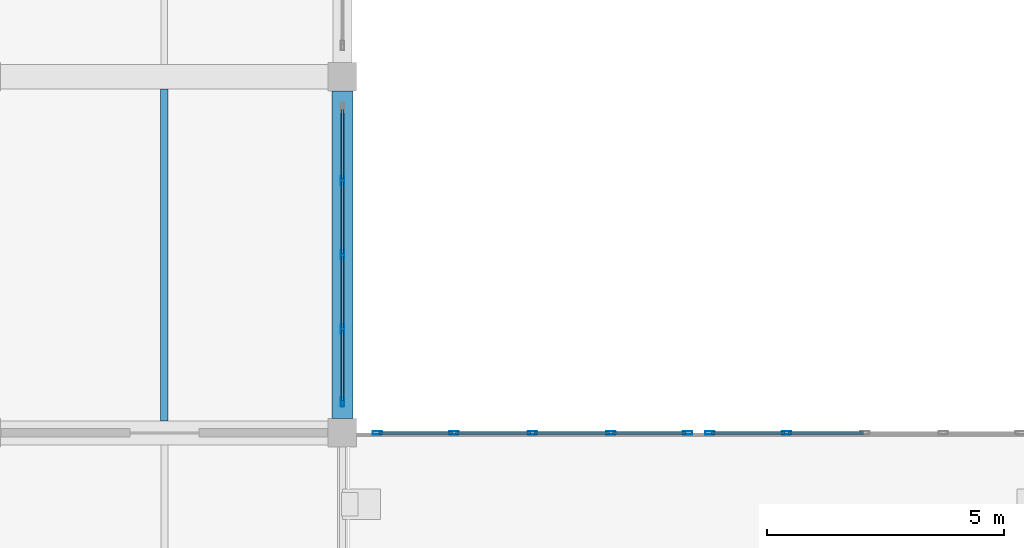
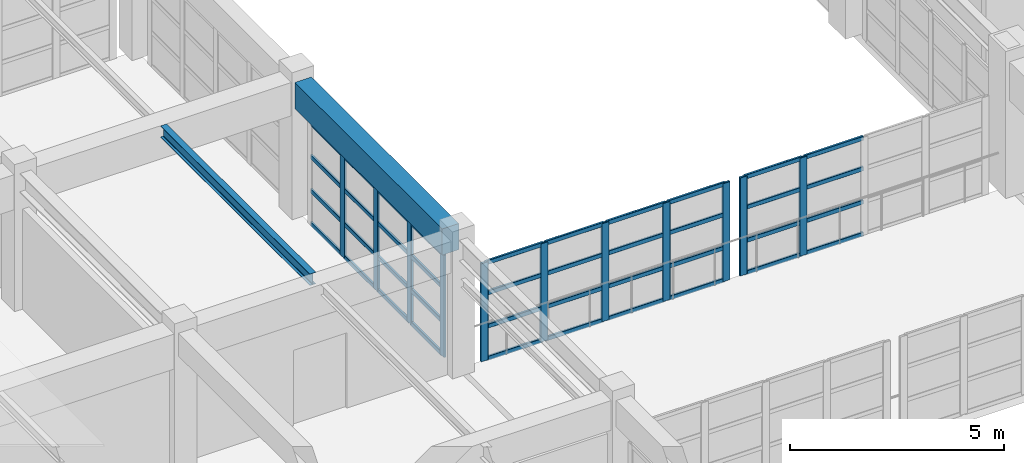
# One storey, part 22 of 124: 51 members, 2 beams, 3 elements without a shape of their own.
"""IFC4 building model written with IfcOpenShell, lengths in metres."""

from ifc_helpers import new_model, si_unit, direction, frame, origin, origin_2d, place, context, subcontext, project, spatial, rectangle, hollow_rectangle, i_section, extrude, material, material_profile, profile_set, type_object, element, aggregate, save


model = new_model("IFC4")

# Units and contexts
model_context = context("Model", 3, precision=1e-05, world=origin(), true_north=direction((0.0, 1.0)))
body_context = subcontext(model_context, "Body", "Model", "MODEL_VIEW")
ifc_project = project(units=[si_unit("LENGTHUNIT", "METRE"), si_unit("AREAUNIT", "SQUARE_METRE"), si_unit("VOLUMEUNIT", "CUBIC_METRE"), si_unit("PLANEANGLEUNIT", "RADIAN"), si_unit("MASSUNIT", "GRAM", prefix="KILO")], contexts=[model_context])

# Site, building, storey
site_placement = place(None, origin())
site = spatial("IfcSite", under=ifc_project, at=site_placement, CompositionType="ELEMENT")
building_placement = place(site_placement, origin())
building = spatial("IfcBuilding", under=site, at=building_placement, Name="Qasida Concert Hall", CompositionType="ELEMENT")
storey_placement = place(building_placement, frame((0.0, 0.0, 9.0)))
storey = spatial("IfcBuildingStorey", under=building, at=storey_placement, Name="L02", CompositionType="ELEMENT", Elevation=9.0)

# Beams
ifc_material_1 = material(Name="Steel S355J2", Category="steel")
ifc_material_profile_1 = material_profile(ifc_material_1, i_section(OverallWidth=0.159912109375, OverallDepth=0.330078125, WebThickness=0.007568359375, FlangeThickness=0.011474609375, FilletRadius=0.01806640625, at=origin_2d()), Name="IPE 330")
ifc_profile_set_1 = profile_set([ifc_material_profile_1], Name="Steel S355J2")
beam_type_1 = type_object("IfcBeamType", Name="BM-J5", PredefinedType="JOIST", material=ifc_profile_set_1)
beam_1_placement = place(storey_placement, frame((33.75, 37.75, 3.735107421875), z_axis=(0.0, 1.0, 0.0), x_axis=(-1.0, 0.0, 0.0)))
element("IfcBeam", 1, at=beam_1_placement, inside=storey, type_object=beam_type_1, Name="L02 secondary joist 1348", PredefinedType="JOIST", context=body_context, shape_type="SweptSolid", body=[
    extrude(i_section(OverallWidth=0.159912109375, OverallDepth=0.330078125, WebThickness=0.007568359375, FlangeThickness=0.011474609375, FilletRadius=0.01806640625, at=origin_2d()), origin(), (0.0, 0.0, 1.0), 6.989990234375),
])
ifc_material_2 = material(Name="Concrete C40/50", Category="concrete")
ifc_material_profile_2 = material_profile(ifc_material_2, rectangle(XDim=0.449951171875, YDim=0.75, at=origin_2d()), Name="RC 450x750")
ifc_profile_set_2 = profile_set([ifc_material_profile_2], Name="Concrete C40/50")
beam_type_2 = type_object("IfcBeamType", Name="BM-SP4", PredefinedType="SPANDREL", material=ifc_profile_set_2)
beam_2_placement = place(storey_placement, frame((37.5, 37.800048828125, 3.52490234375), z_axis=(0.0, 1.0, 0.0), x_axis=(-1.0, 0.0, 0.0)))
element("IfcBeam", 2, at=beam_2_placement, inside=storey, type_object=beam_type_2, Name="L02 girder 1319", PredefinedType="SPANDREL", context=body_context, shape_type="SweptSolid", body=[
    extrude(rectangle(XDim=0.449951171875, YDim=0.75, at=origin_2d()), origin(), (0.0, 0.0, 1.0), 6.89990234375),
])

# Curtain wall, members
ifc_material_3 = material(Name="Architectural bronze-anodized aluminium and low-E glass", Category="aluminium")
curtain_wall_type = type_object("IfcCurtainWallType", Name="CW-08", PredefinedType="NOTDEFINED", material=ifc_material_3)
curtain_wall_1_placement = place(storey_placement, origin())
curtain_wall_1 = element("IfcCurtainWall", 3, at=curtain_wall_1_placement, inside=storey, type_object=curtain_wall_type, Name="L02 curtain wall CW-08 0115", PredefinedType="NOTDEFINED")
ifc_material_4 = material(Name="Architectural bronze-anodized aluminium EN AW-6063", Category="aluminium")
ifc_material_profile_3 = material_profile(ifc_material_4, hollow_rectangle(XDim=0.06494140625, YDim=0.199951171875, WallThickness=0.0048828125, InnerFilletRadius=0.0048828125, OuterFilletRadius=0.010009765625, at=origin_2d()), Name="CWM 200x65x5")
ifc_profile_set_3 = profile_set([ifc_material_profile_3], Name="Architectural bronze-anodized aluminium EN AW-6063")
member_type_1 = type_object("IfcMemberType", Name="MB-CWM-2", PredefinedType="MULLION", material=ifc_profile_set_3)
member_1_placement = place(storey_placement, frame((37.5, 38.152587890625, 0.0), z_axis=(0.0, 0.0, 1.0), x_axis=(-1.0, 0.0, 0.0)))
member_1 = element("IfcMember", 4, at=member_1_placement, type_object=member_type_1, Name="CW-08 mullion 1", PredefinedType="MULLION", context=body_context, shape_type="SweptSolid", body=[
    extrude(hollow_rectangle(XDim=0.06494140625, YDim=0.199951171875, WallThickness=0.0048828125, InnerFilletRadius=0.0048828125, OuterFilletRadius=0.010009765625, at=origin_2d()), origin(), (0.0, 0.0, 1.0), 2.919921875),
])
member_2_placement = place(storey_placement, frame((37.5, 39.68505859375, 0.0), z_axis=(0.0, 0.0, 1.0), x_axis=(-1.0, 0.0, 0.0)))
member_2 = element("IfcMember", 5, at=member_2_placement, type_object=member_type_1, Name="CW-08 mullion 2", PredefinedType="MULLION", context=body_context, shape_type="SweptSolid", body=[
    extrude(hollow_rectangle(XDim=0.06494140625, YDim=0.199951171875, WallThickness=0.0048828125, InnerFilletRadius=0.0048828125, OuterFilletRadius=0.010009765625, at=origin_2d()), origin(), (0.0, 0.0, 1.0), 2.919921875),
])
member_3_placement = place(storey_placement, frame((37.5, 41.25, 0.0), z_axis=(0.0, 0.0, 1.0), x_axis=(-1.0, 0.0, 0.0)))
member_3 = element("IfcMember", 6, at=member_3_placement, type_object=member_type_1, Name="CW-08 mullion 3", PredefinedType="MULLION", context=body_context, shape_type="SweptSolid", body=[
    extrude(hollow_rectangle(XDim=0.06494140625, YDim=0.199951171875, WallThickness=0.0048828125, InnerFilletRadius=0.0048828125, OuterFilletRadius=0.010009765625, at=origin_2d()), origin(), (0.0, 0.0, 1.0), 2.919921875),
])
member_4_placement = place(storey_placement, frame((37.5, 42.81494140625, 0.0), z_axis=(0.0, 0.0, 1.0), x_axis=(-1.0, 0.0, 0.0)))
member_4 = element("IfcMember", 7, at=member_4_placement, type_object=member_type_1, Name="CW-08 mullion 4", PredefinedType="MULLION", context=body_context, shape_type="SweptSolid", body=[
    extrude(hollow_rectangle(XDim=0.06494140625, YDim=0.199951171875, WallThickness=0.0048828125, InnerFilletRadius=0.0048828125, OuterFilletRadius=0.010009765625, at=origin_2d()), origin(), (0.0, 0.0, 1.0), 2.919921875),
])

curtain_wall_2_placement = place(storey_placement, origin())
curtain_wall_2 = element("IfcCurtainWall", 8, at=curtain_wall_2_placement, inside=storey, type_object=curtain_wall_type, Name="L02 link bridge glazing 0203", PredefinedType="NOTDEFINED")
member_5_placement = place(storey_placement, frame((38.232421875, 37.5, 0.0), z_axis=(0.0, 0.0, 1.0), x_axis=(0.0, 1.0, 0.0)))
member_5 = element("IfcMember", 9, at=member_5_placement, type_object=member_type_1, Name="CW-08 mullion 1", PredefinedType="MULLION", context=body_context, shape_type="SweptSolid", body=[
    extrude(hollow_rectangle(XDim=0.06494140625, YDim=0.199951171875, WallThickness=0.0048828125, InnerFilletRadius=0.0048828125, OuterFilletRadius=0.010009765625, at=origin_2d()), origin(), (0.0, 0.0, 1.0), 2.800048828125),
])
member_6_placement = place(storey_placement, frame((39.85009765625, 37.5, 0.0), z_axis=(0.0, 0.0, 1.0), x_axis=(0.0, 1.0, 0.0)))
member_6 = element("IfcMember", 10, at=member_6_placement, type_object=member_type_1, Name="CW-08 mullion 2", PredefinedType="MULLION", context=body_context, shape_type="SweptSolid", body=[
    extrude(hollow_rectangle(XDim=0.06494140625, YDim=0.199951171875, WallThickness=0.0048828125, InnerFilletRadius=0.0048828125, OuterFilletRadius=0.010009765625, at=origin_2d()), origin(), (0.0, 0.0, 1.0), 2.800048828125),
])
member_7_placement = place(storey_placement, frame((41.5, 37.5, 0.0), z_axis=(0.0, 0.0, 1.0), x_axis=(0.0, 1.0, 0.0)))
member_7 = element("IfcMember", 11, at=member_7_placement, type_object=member_type_1, Name="CW-08 mullion 3", PredefinedType="MULLION", context=body_context, shape_type="SweptSolid", body=[
    extrude(hollow_rectangle(XDim=0.06494140625, YDim=0.199951171875, WallThickness=0.0048828125, InnerFilletRadius=0.0048828125, OuterFilletRadius=0.010009765625, at=origin_2d()), origin(), (0.0, 0.0, 1.0), 2.800048828125),
])
member_8_placement = place(storey_placement, frame((43.14990234375, 37.5, 0.0), z_axis=(0.0, 0.0, 1.0), x_axis=(0.0, 1.0, 0.0)))
member_8 = element("IfcMember", 12, at=member_8_placement, type_object=member_type_1, Name="CW-08 mullion 4", PredefinedType="MULLION", context=body_context, shape_type="SweptSolid", body=[
    extrude(hollow_rectangle(XDim=0.06494140625, YDim=0.199951171875, WallThickness=0.0048828125, InnerFilletRadius=0.0048828125, OuterFilletRadius=0.010009765625, at=origin_2d()), origin(), (0.0, 0.0, 1.0), 2.800048828125),
])
member_9_placement = place(storey_placement, frame((44.767578125, 37.5, 0.0), z_axis=(0.0, 0.0, 1.0), x_axis=(0.0, 1.0, 0.0)))
member_9 = element("IfcMember", 13, at=member_9_placement, type_object=member_type_1, Name="CW-08 mullion 5", PredefinedType="MULLION", context=body_context, shape_type="SweptSolid", body=[
    extrude(hollow_rectangle(XDim=0.06494140625, YDim=0.199951171875, WallThickness=0.0048828125, InnerFilletRadius=0.0048828125, OuterFilletRadius=0.010009765625, at=origin_2d()), origin(), (0.0, 0.0, 1.0), 2.800048828125),
])

curtain_wall_3_placement = place(storey_placement, origin())
curtain_wall_3 = element("IfcCurtainWall", 14, at=curtain_wall_3_placement, inside=storey, type_object=curtain_wall_type, Name="L02 link bridge glazing 0205", PredefinedType="NOTDEFINED")
member_10_placement = place(storey_placement, frame((45.232421875, 37.5, 0.0), z_axis=(0.0, 0.0, 1.0), x_axis=(0.0, 1.0, 0.0)))
member_10 = element("IfcMember", 15, at=member_10_placement, type_object=member_type_1, Name="CW-08 mullion 1", PredefinedType="MULLION", context=body_context, shape_type="SweptSolid", body=[
    extrude(hollow_rectangle(XDim=0.06494140625, YDim=0.199951171875, WallThickness=0.0048828125, InnerFilletRadius=0.0048828125, OuterFilletRadius=0.010009765625, at=origin_2d()), origin(), (0.0, 0.0, 1.0), 2.800048828125),
])
member_11_placement = place(storey_placement, frame((46.85009765625, 37.5, 0.0), z_axis=(0.0, 0.0, 1.0), x_axis=(0.0, 1.0, 0.0)))
member_11 = element("IfcMember", 16, at=member_11_placement, type_object=member_type_1, Name="CW-08 mullion 2", PredefinedType="MULLION", context=body_context, shape_type="SweptSolid", body=[
    extrude(hollow_rectangle(XDim=0.06494140625, YDim=0.199951171875, WallThickness=0.0048828125, InnerFilletRadius=0.0048828125, OuterFilletRadius=0.010009765625, at=origin_2d()), origin(), (0.0, 0.0, 1.0), 2.800048828125),
])

# Member
ifc_material_profile_4 = material_profile(ifc_material_4, hollow_rectangle(XDim=0.06005859375, YDim=0.1201171875, WallThickness=0.00390625, InnerFilletRadius=0.00390625, OuterFilletRadius=0.008056640625, at=origin_2d()), Name="CWT 120x60x4")
ifc_profile_set_4 = profile_set([ifc_material_profile_4], Name="Architectural bronze-anodized aluminium EN AW-6063")
member_type_2 = type_object("IfcMemberType", Name="MB-CWT-2", PredefinedType="USERDEFINED", material=ifc_profile_set_4)
member_12_placement = place(storey_placement, frame((37.5, 38.18505859375, 0.030029296875), z_axis=(0.0, 1.0, 0.0), x_axis=(-1.0, 0.0, 0.0)))
member_12 = element("IfcMember", 17, at=member_12_placement, type_object=member_type_2, Name="CW-08 transom 1.1", ObjectType="TRANSOM", PredefinedType="USERDEFINED", context=body_context, shape_type="SweptSolid", body=[
    extrude(hollow_rectangle(XDim=0.06005859375, YDim=0.1201171875, WallThickness=0.00390625, InnerFilletRadius=0.00390625, OuterFilletRadius=0.008056640625, at=origin_2d()), origin(), (0.0, 0.0, 1.0), 1.467529296875),
])

member_13_placement = place(storey_placement, frame((37.5, 38.18505859375, 0.973388671875), z_axis=(0.0, 1.0, 0.0), x_axis=(-1.0, 0.0, 0.0)))
member_13 = element("IfcMember", 18, at=member_13_placement, type_object=member_type_2, Name="CW-08 transom 1.2", ObjectType="TRANSOM", PredefinedType="USERDEFINED", context=body_context, shape_type="SweptSolid", body=[
    extrude(hollow_rectangle(XDim=0.06005859375, YDim=0.1201171875, WallThickness=0.00390625, InnerFilletRadius=0.00390625, OuterFilletRadius=0.008056640625, at=origin_2d()), origin(), (0.0, 0.0, 1.0), 1.467529296875),
])

member_14_placement = place(storey_placement, frame((37.5, 38.18505859375, 1.94677734375), z_axis=(0.0, 1.0, 0.0), x_axis=(-1.0, 0.0, 0.0)))
member_14 = element("IfcMember", 19, at=member_14_placement, type_object=member_type_2, Name="CW-08 transom 1.3", ObjectType="TRANSOM", PredefinedType="USERDEFINED", context=body_context, shape_type="SweptSolid", body=[
    extrude(hollow_rectangle(XDim=0.06005859375, YDim=0.1201171875, WallThickness=0.00390625, InnerFilletRadius=0.00390625, OuterFilletRadius=0.008056640625, at=origin_2d()), origin(), (0.0, 0.0, 1.0), 1.467529296875),
])

member_15_placement = place(storey_placement, frame((37.5, 38.18505859375, 2.889892578125), z_axis=(0.0, 1.0, 0.0), x_axis=(-1.0, 0.0, 0.0)))
member_15 = element("IfcMember", 20, at=member_15_placement, type_object=member_type_2, Name="CW-08 transom 1.4", ObjectType="TRANSOM", PredefinedType="USERDEFINED", context=body_context, shape_type="SweptSolid", body=[
    extrude(hollow_rectangle(XDim=0.06005859375, YDim=0.1201171875, WallThickness=0.00390625, InnerFilletRadius=0.00390625, OuterFilletRadius=0.008056640625, at=origin_2d()), origin(), (0.0, 0.0, 1.0), 1.467529296875),
])

member_16_placement = place(storey_placement, frame((37.5, 39.717529296875, 0.030029296875), z_axis=(0.0, 1.0, 0.0), x_axis=(-1.0, 0.0, 0.0)))
member_16 = element("IfcMember", 21, at=member_16_placement, type_object=member_type_2, Name="CW-08 transom 2.1", ObjectType="TRANSOM", PredefinedType="USERDEFINED", context=body_context, shape_type="SweptSolid", body=[
    extrude(hollow_rectangle(XDim=0.06005859375, YDim=0.1201171875, WallThickness=0.00390625, InnerFilletRadius=0.00390625, OuterFilletRadius=0.008056640625, at=origin_2d()), origin(), (0.0, 0.0, 1.0), 1.5),
])

member_17_placement = place(storey_placement, frame((37.5, 39.717529296875, 0.973388671875), z_axis=(0.0, 1.0, 0.0), x_axis=(-1.0, 0.0, 0.0)))
member_17 = element("IfcMember", 22, at=member_17_placement, type_object=member_type_2, Name="CW-08 transom 2.2", ObjectType="TRANSOM", PredefinedType="USERDEFINED", context=body_context, shape_type="SweptSolid", body=[
    extrude(hollow_rectangle(XDim=0.06005859375, YDim=0.1201171875, WallThickness=0.00390625, InnerFilletRadius=0.00390625, OuterFilletRadius=0.008056640625, at=origin_2d()), origin(), (0.0, 0.0, 1.0), 1.5),
])

member_18_placement = place(storey_placement, frame((37.5, 39.717529296875, 1.94677734375), z_axis=(0.0, 1.0, 0.0), x_axis=(-1.0, 0.0, 0.0)))
member_18 = element("IfcMember", 23, at=member_18_placement, type_object=member_type_2, Name="CW-08 transom 2.3", ObjectType="TRANSOM", PredefinedType="USERDEFINED", context=body_context, shape_type="SweptSolid", body=[
    extrude(hollow_rectangle(XDim=0.06005859375, YDim=0.1201171875, WallThickness=0.00390625, InnerFilletRadius=0.00390625, OuterFilletRadius=0.008056640625, at=origin_2d()), origin(), (0.0, 0.0, 1.0), 1.5),
])

member_19_placement = place(storey_placement, frame((37.5, 39.717529296875, 2.889892578125), z_axis=(0.0, 1.0, 0.0), x_axis=(-1.0, 0.0, 0.0)))
member_19 = element("IfcMember", 24, at=member_19_placement, type_object=member_type_2, Name="CW-08 transom 2.4", ObjectType="TRANSOM", PredefinedType="USERDEFINED", context=body_context, shape_type="SweptSolid", body=[
    extrude(hollow_rectangle(XDim=0.06005859375, YDim=0.1201171875, WallThickness=0.00390625, InnerFilletRadius=0.00390625, OuterFilletRadius=0.008056640625, at=origin_2d()), origin(), (0.0, 0.0, 1.0), 1.5),
])

member_20_placement = place(storey_placement, frame((37.5, 41.282470703125, 0.030029296875), z_axis=(0.0, 1.0, 0.0), x_axis=(-1.0, 0.0, 0.0)))
member_20 = element("IfcMember", 25, at=member_20_placement, type_object=member_type_2, Name="CW-08 transom 3.1", ObjectType="TRANSOM", PredefinedType="USERDEFINED", context=body_context, shape_type="SweptSolid", body=[
    extrude(hollow_rectangle(XDim=0.06005859375, YDim=0.1201171875, WallThickness=0.00390625, InnerFilletRadius=0.00390625, OuterFilletRadius=0.008056640625, at=origin_2d()), origin(), (0.0, 0.0, 1.0), 1.5),
])

member_21_placement = place(storey_placement, frame((37.5, 41.282470703125, 0.973388671875), z_axis=(0.0, 1.0, 0.0), x_axis=(-1.0, 0.0, 0.0)))
member_21 = element("IfcMember", 26, at=member_21_placement, type_object=member_type_2, Name="CW-08 transom 3.2", ObjectType="TRANSOM", PredefinedType="USERDEFINED", context=body_context, shape_type="SweptSolid", body=[
    extrude(hollow_rectangle(XDim=0.06005859375, YDim=0.1201171875, WallThickness=0.00390625, InnerFilletRadius=0.00390625, OuterFilletRadius=0.008056640625, at=origin_2d()), origin(), (0.0, 0.0, 1.0), 1.5),
])

member_22_placement = place(storey_placement, frame((37.5, 41.282470703125, 1.94677734375), z_axis=(0.0, 1.0, 0.0), x_axis=(-1.0, 0.0, 0.0)))
member_22 = element("IfcMember", 27, at=member_22_placement, type_object=member_type_2, Name="CW-08 transom 3.3", ObjectType="TRANSOM", PredefinedType="USERDEFINED", context=body_context, shape_type="SweptSolid", body=[
    extrude(hollow_rectangle(XDim=0.06005859375, YDim=0.1201171875, WallThickness=0.00390625, InnerFilletRadius=0.00390625, OuterFilletRadius=0.008056640625, at=origin_2d()), origin(), (0.0, 0.0, 1.0), 1.5),
])

member_23_placement = place(storey_placement, frame((37.5, 41.282470703125, 2.889892578125), z_axis=(0.0, 1.0, 0.0), x_axis=(-1.0, 0.0, 0.0)))
member_23 = element("IfcMember", 28, at=member_23_placement, type_object=member_type_2, Name="CW-08 transom 3.4", ObjectType="TRANSOM", PredefinedType="USERDEFINED", context=body_context, shape_type="SweptSolid", body=[
    extrude(hollow_rectangle(XDim=0.06005859375, YDim=0.1201171875, WallThickness=0.00390625, InnerFilletRadius=0.00390625, OuterFilletRadius=0.008056640625, at=origin_2d()), origin(), (0.0, 0.0, 1.0), 1.5),
])

member_24_placement = place(storey_placement, frame((37.5, 42.847412109375, 0.030029296875), z_axis=(0.0, 1.0, 0.0), x_axis=(-1.0, 0.0, 0.0)))
member_24 = element("IfcMember", 29, at=member_24_placement, type_object=member_type_2, Name="CW-08 transom 4.1", ObjectType="TRANSOM", PredefinedType="USERDEFINED", context=body_context, shape_type="SweptSolid", body=[
    extrude(hollow_rectangle(XDim=0.06005859375, YDim=0.1201171875, WallThickness=0.00390625, InnerFilletRadius=0.00390625, OuterFilletRadius=0.008056640625, at=origin_2d()), origin(), (0.0, 0.0, 1.0), 1.467529296875),
])

member_25_placement = place(storey_placement, frame((37.5, 42.847412109375, 0.973388671875), z_axis=(0.0, 1.0, 0.0), x_axis=(-1.0, 0.0, 0.0)))
member_25 = element("IfcMember", 30, at=member_25_placement, type_object=member_type_2, Name="CW-08 transom 4.2", ObjectType="TRANSOM", PredefinedType="USERDEFINED", context=body_context, shape_type="SweptSolid", body=[
    extrude(hollow_rectangle(XDim=0.06005859375, YDim=0.1201171875, WallThickness=0.00390625, InnerFilletRadius=0.00390625, OuterFilletRadius=0.008056640625, at=origin_2d()), origin(), (0.0, 0.0, 1.0), 1.467529296875),
])

member_26_placement = place(storey_placement, frame((37.5, 42.847412109375, 1.94677734375), z_axis=(0.0, 1.0, 0.0), x_axis=(-1.0, 0.0, 0.0)))
member_26 = element("IfcMember", 31, at=member_26_placement, type_object=member_type_2, Name="CW-08 transom 4.3", ObjectType="TRANSOM", PredefinedType="USERDEFINED", context=body_context, shape_type="SweptSolid", body=[
    extrude(hollow_rectangle(XDim=0.06005859375, YDim=0.1201171875, WallThickness=0.00390625, InnerFilletRadius=0.00390625, OuterFilletRadius=0.008056640625, at=origin_2d()), origin(), (0.0, 0.0, 1.0), 1.467529296875),
])

member_27_placement = place(storey_placement, frame((37.5, 42.847412109375, 2.889892578125), z_axis=(0.0, 1.0, 0.0), x_axis=(-1.0, 0.0, 0.0)))
member_27 = element("IfcMember", 32, at=member_27_placement, type_object=member_type_2, Name="CW-08 transom 4.4", ObjectType="TRANSOM", PredefinedType="USERDEFINED", context=body_context, shape_type="SweptSolid", body=[
    extrude(hollow_rectangle(XDim=0.06005859375, YDim=0.1201171875, WallThickness=0.00390625, InnerFilletRadius=0.00390625, OuterFilletRadius=0.008056640625, at=origin_2d()), origin(), (0.0, 0.0, 1.0), 1.467529296875),
])

aggregate(curtain_wall_1, [member_1, member_2, member_3, member_4, member_12, member_13, member_14, member_15, member_16, member_17, member_18, member_19, member_20, member_21, member_22, member_23, member_24, member_25, member_26, member_27])

member_28_placement = place(storey_placement, frame((38.264892578125, 37.5, 0.030029296875), z_axis=(1.0, 0.0, 0.0), x_axis=(0.0, 1.0, 0.0)))
member_28 = element("IfcMember", 33, at=member_28_placement, type_object=member_type_2, Name="CW-08 transom 1.1", ObjectType="TRANSOM", PredefinedType="USERDEFINED", context=body_context, shape_type="SweptSolid", body=[
    extrude(hollow_rectangle(XDim=0.06005859375, YDim=0.1201171875, WallThickness=0.00390625, InnerFilletRadius=0.00390625, OuterFilletRadius=0.008056640625, at=origin_2d()), origin(), (0.0, 0.0, 1.0), 1.552490234375),
])

member_29_placement = place(storey_placement, frame((38.264892578125, 37.5, 0.949951171875), z_axis=(1.0, 0.0, 0.0), x_axis=(0.0, 1.0, 0.0)))
member_29 = element("IfcMember", 34, at=member_29_placement, type_object=member_type_2, Name="CW-08 transom 1.2", ObjectType="TRANSOM", PredefinedType="USERDEFINED", context=body_context, shape_type="SweptSolid", body=[
    extrude(hollow_rectangle(XDim=0.06005859375, YDim=0.1201171875, WallThickness=0.00390625, InnerFilletRadius=0.00390625, OuterFilletRadius=0.008056640625, at=origin_2d()), origin(), (0.0, 0.0, 1.0), 1.552490234375),
])

member_30_placement = place(storey_placement, frame((38.264892578125, 37.5, 1.89990234375), z_axis=(1.0, 0.0, 0.0), x_axis=(0.0, 1.0, 0.0)))
member_30 = element("IfcMember", 35, at=member_30_placement, type_object=member_type_2, Name="CW-08 transom 1.3", ObjectType="TRANSOM", PredefinedType="USERDEFINED", context=body_context, shape_type="SweptSolid", body=[
    extrude(hollow_rectangle(XDim=0.06005859375, YDim=0.1201171875, WallThickness=0.00390625, InnerFilletRadius=0.00390625, OuterFilletRadius=0.008056640625, at=origin_2d()), origin(), (0.0, 0.0, 1.0), 1.552490234375),
])

member_31_placement = place(storey_placement, frame((38.264892578125, 37.5, 2.77001953125), z_axis=(1.0, 0.0, 0.0), x_axis=(0.0, 1.0, 0.0)))
member_31 = element("IfcMember", 36, at=member_31_placement, type_object=member_type_2, Name="CW-08 transom 1.4", ObjectType="TRANSOM", PredefinedType="USERDEFINED", context=body_context, shape_type="SweptSolid", body=[
    extrude(hollow_rectangle(XDim=0.06005859375, YDim=0.1201171875, WallThickness=0.00390625, InnerFilletRadius=0.00390625, OuterFilletRadius=0.008056640625, at=origin_2d()), origin(), (0.0, 0.0, 1.0), 1.552490234375),
])

member_32_placement = place(storey_placement, frame((39.882568359375, 37.5, 0.030029296875), z_axis=(1.0, 0.0, 0.0), x_axis=(0.0, 1.0, 0.0)))
member_32 = element("IfcMember", 37, at=member_32_placement, type_object=member_type_2, Name="CW-08 transom 2.1", ObjectType="TRANSOM", PredefinedType="USERDEFINED", context=body_context, shape_type="SweptSolid", body=[
    extrude(hollow_rectangle(XDim=0.06005859375, YDim=0.1201171875, WallThickness=0.00390625, InnerFilletRadius=0.00390625, OuterFilletRadius=0.008056640625, at=origin_2d()), origin(), (0.0, 0.0, 1.0), 1.5849609375),
])

member_33_placement = place(storey_placement, frame((39.882568359375, 37.5, 0.949951171875), z_axis=(1.0, 0.0, 0.0), x_axis=(0.0, 1.0, 0.0)))
member_33 = element("IfcMember", 38, at=member_33_placement, type_object=member_type_2, Name="CW-08 transom 2.2", ObjectType="TRANSOM", PredefinedType="USERDEFINED", context=body_context, shape_type="SweptSolid", body=[
    extrude(hollow_rectangle(XDim=0.06005859375, YDim=0.1201171875, WallThickness=0.00390625, InnerFilletRadius=0.00390625, OuterFilletRadius=0.008056640625, at=origin_2d()), origin(), (0.0, 0.0, 1.0), 1.5849609375),
])

member_34_placement = place(storey_placement, frame((39.882568359375, 37.5, 1.89990234375), z_axis=(1.0, 0.0, 0.0), x_axis=(0.0, 1.0, 0.0)))
member_34 = element("IfcMember", 39, at=member_34_placement, type_object=member_type_2, Name="CW-08 transom 2.3", ObjectType="TRANSOM", PredefinedType="USERDEFINED", context=body_context, shape_type="SweptSolid", body=[
    extrude(hollow_rectangle(XDim=0.06005859375, YDim=0.1201171875, WallThickness=0.00390625, InnerFilletRadius=0.00390625, OuterFilletRadius=0.008056640625, at=origin_2d()), origin(), (0.0, 0.0, 1.0), 1.5849609375),
])

member_35_placement = place(storey_placement, frame((39.882568359375, 37.5, 2.77001953125), z_axis=(1.0, 0.0, 0.0), x_axis=(0.0, 1.0, 0.0)))
member_35 = element("IfcMember", 40, at=member_35_placement, type_object=member_type_2, Name="CW-08 transom 2.4", ObjectType="TRANSOM", PredefinedType="USERDEFINED", context=body_context, shape_type="SweptSolid", body=[
    extrude(hollow_rectangle(XDim=0.06005859375, YDim=0.1201171875, WallThickness=0.00390625, InnerFilletRadius=0.00390625, OuterFilletRadius=0.008056640625, at=origin_2d()), origin(), (0.0, 0.0, 1.0), 1.5849609375),
])

member_36_placement = place(storey_placement, frame((41.532470703125, 37.5, 0.030029296875), z_axis=(1.0, 0.0, 0.0), x_axis=(0.0, 1.0, 0.0)))
member_36 = element("IfcMember", 41, at=member_36_placement, type_object=member_type_2, Name="CW-08 transom 3.1", ObjectType="TRANSOM", PredefinedType="USERDEFINED", context=body_context, shape_type="SweptSolid", body=[
    extrude(hollow_rectangle(XDim=0.06005859375, YDim=0.1201171875, WallThickness=0.00390625, InnerFilletRadius=0.00390625, OuterFilletRadius=0.008056640625, at=origin_2d()), origin(), (0.0, 0.0, 1.0), 1.5849609375),
])

member_37_placement = place(storey_placement, frame((41.532470703125, 37.5, 0.949951171875), z_axis=(1.0, 0.0, 0.0), x_axis=(0.0, 1.0, 0.0)))
member_37 = element("IfcMember", 42, at=member_37_placement, type_object=member_type_2, Name="CW-08 transom 3.2", ObjectType="TRANSOM", PredefinedType="USERDEFINED", context=body_context, shape_type="SweptSolid", body=[
    extrude(hollow_rectangle(XDim=0.06005859375, YDim=0.1201171875, WallThickness=0.00390625, InnerFilletRadius=0.00390625, OuterFilletRadius=0.008056640625, at=origin_2d()), origin(), (0.0, 0.0, 1.0), 1.5849609375),
])

member_38_placement = place(storey_placement, frame((41.532470703125, 37.5, 1.89990234375), z_axis=(1.0, 0.0, 0.0), x_axis=(0.0, 1.0, 0.0)))
member_38 = element("IfcMember", 43, at=member_38_placement, type_object=member_type_2, Name="CW-08 transom 3.3", ObjectType="TRANSOM", PredefinedType="USERDEFINED", context=body_context, shape_type="SweptSolid", body=[
    extrude(hollow_rectangle(XDim=0.06005859375, YDim=0.1201171875, WallThickness=0.00390625, InnerFilletRadius=0.00390625, OuterFilletRadius=0.008056640625, at=origin_2d()), origin(), (0.0, 0.0, 1.0), 1.5849609375),
])

member_39_placement = place(storey_placement, frame((41.532470703125, 37.5, 2.77001953125), z_axis=(1.0, 0.0, 0.0), x_axis=(0.0, 1.0, 0.0)))
member_39 = element("IfcMember", 44, at=member_39_placement, type_object=member_type_2, Name="CW-08 transom 3.4", ObjectType="TRANSOM", PredefinedType="USERDEFINED", context=body_context, shape_type="SweptSolid", body=[
    extrude(hollow_rectangle(XDim=0.06005859375, YDim=0.1201171875, WallThickness=0.00390625, InnerFilletRadius=0.00390625, OuterFilletRadius=0.008056640625, at=origin_2d()), origin(), (0.0, 0.0, 1.0), 1.5849609375),
])

member_40_placement = place(storey_placement, frame((43.1826171875, 37.5, 0.030029296875), z_axis=(1.0, 0.0, 0.0), x_axis=(0.0, 1.0, 0.0)))
member_40 = element("IfcMember", 45, at=member_40_placement, type_object=member_type_2, Name="CW-08 transom 4.1", ObjectType="TRANSOM", PredefinedType="USERDEFINED", context=body_context, shape_type="SweptSolid", body=[
    extrude(hollow_rectangle(XDim=0.06005859375, YDim=0.1201171875, WallThickness=0.00390625, InnerFilletRadius=0.00390625, OuterFilletRadius=0.008056640625, at=origin_2d()), origin(), (0.0, 0.0, 1.0), 1.552490234375),
])

member_41_placement = place(storey_placement, frame((43.1826171875, 37.5, 0.949951171875), z_axis=(1.0, 0.0, 0.0), x_axis=(0.0, 1.0, 0.0)))
member_41 = element("IfcMember", 46, at=member_41_placement, type_object=member_type_2, Name="CW-08 transom 4.2", ObjectType="TRANSOM", PredefinedType="USERDEFINED", context=body_context, shape_type="SweptSolid", body=[
    extrude(hollow_rectangle(XDim=0.06005859375, YDim=0.1201171875, WallThickness=0.00390625, InnerFilletRadius=0.00390625, OuterFilletRadius=0.008056640625, at=origin_2d()), origin(), (0.0, 0.0, 1.0), 1.552490234375),
])

member_42_placement = place(storey_placement, frame((43.1826171875, 37.5, 1.89990234375), z_axis=(1.0, 0.0, 0.0), x_axis=(0.0, 1.0, 0.0)))
member_42 = element("IfcMember", 47, at=member_42_placement, type_object=member_type_2, Name="CW-08 transom 4.3", ObjectType="TRANSOM", PredefinedType="USERDEFINED", context=body_context, shape_type="SweptSolid", body=[
    extrude(hollow_rectangle(XDim=0.06005859375, YDim=0.1201171875, WallThickness=0.00390625, InnerFilletRadius=0.00390625, OuterFilletRadius=0.008056640625, at=origin_2d()), origin(), (0.0, 0.0, 1.0), 1.552490234375),
])

member_43_placement = place(storey_placement, frame((43.1826171875, 37.5, 2.77001953125), z_axis=(1.0, 0.0, 0.0), x_axis=(0.0, 1.0, 0.0)))
member_43 = element("IfcMember", 48, at=member_43_placement, type_object=member_type_2, Name="CW-08 transom 4.4", ObjectType="TRANSOM", PredefinedType="USERDEFINED", context=body_context, shape_type="SweptSolid", body=[
    extrude(hollow_rectangle(XDim=0.06005859375, YDim=0.1201171875, WallThickness=0.00390625, InnerFilletRadius=0.00390625, OuterFilletRadius=0.008056640625, at=origin_2d()), origin(), (0.0, 0.0, 1.0), 1.552490234375),
])

aggregate(curtain_wall_2, [member_5, member_6, member_7, member_8, member_9, member_28, member_29, member_30, member_31, member_32, member_33, member_34, member_35, member_36, member_37, member_38, member_39, member_40, member_41, member_42, member_43])

member_44_placement = place(storey_placement, frame((45.264892578125, 37.5, 0.030029296875), z_axis=(1.0, 0.0, 0.0), x_axis=(0.0, 1.0, 0.0)))
member_44 = element("IfcMember", 49, at=member_44_placement, type_object=member_type_2, Name="CW-08 transom 1.1", ObjectType="TRANSOM", PredefinedType="USERDEFINED", context=body_context, shape_type="SweptSolid", body=[
    extrude(hollow_rectangle(XDim=0.06005859375, YDim=0.1201171875, WallThickness=0.00390625, InnerFilletRadius=0.00390625, OuterFilletRadius=0.008056640625, at=origin_2d()), origin(), (0.0, 0.0, 1.0), 1.552490234375),
])

member_45_placement = place(storey_placement, frame((45.264892578125, 37.5, 0.949951171875), z_axis=(1.0, 0.0, 0.0), x_axis=(0.0, 1.0, 0.0)))
member_45 = element("IfcMember", 50, at=member_45_placement, type_object=member_type_2, Name="CW-08 transom 1.2", ObjectType="TRANSOM", PredefinedType="USERDEFINED", context=body_context, shape_type="SweptSolid", body=[
    extrude(hollow_rectangle(XDim=0.06005859375, YDim=0.1201171875, WallThickness=0.00390625, InnerFilletRadius=0.00390625, OuterFilletRadius=0.008056640625, at=origin_2d()), origin(), (0.0, 0.0, 1.0), 1.552490234375),
])

member_46_placement = place(storey_placement, frame((45.264892578125, 37.5, 1.89990234375), z_axis=(1.0, 0.0, 0.0), x_axis=(0.0, 1.0, 0.0)))
member_46 = element("IfcMember", 51, at=member_46_placement, type_object=member_type_2, Name="CW-08 transom 1.3", ObjectType="TRANSOM", PredefinedType="USERDEFINED", context=body_context, shape_type="SweptSolid", body=[
    extrude(hollow_rectangle(XDim=0.06005859375, YDim=0.1201171875, WallThickness=0.00390625, InnerFilletRadius=0.00390625, OuterFilletRadius=0.008056640625, at=origin_2d()), origin(), (0.0, 0.0, 1.0), 1.552490234375),
])

member_47_placement = place(storey_placement, frame((45.264892578125, 37.5, 2.77001953125), z_axis=(1.0, 0.0, 0.0), x_axis=(0.0, 1.0, 0.0)))
member_47 = element("IfcMember", 52, at=member_47_placement, type_object=member_type_2, Name="CW-08 transom 1.4", ObjectType="TRANSOM", PredefinedType="USERDEFINED", context=body_context, shape_type="SweptSolid", body=[
    extrude(hollow_rectangle(XDim=0.06005859375, YDim=0.1201171875, WallThickness=0.00390625, InnerFilletRadius=0.00390625, OuterFilletRadius=0.008056640625, at=origin_2d()), origin(), (0.0, 0.0, 1.0), 1.552490234375),
])

member_48_placement = place(storey_placement, frame((46.882568359375, 37.5, 0.030029296875), z_axis=(1.0, 0.0, 0.0), x_axis=(0.0, 1.0, 0.0)))
member_48 = element("IfcMember", 53, at=member_48_placement, type_object=member_type_2, Name="CW-08 transom 2.1", ObjectType="TRANSOM", PredefinedType="USERDEFINED", context=body_context, shape_type="SweptSolid", body=[
    extrude(hollow_rectangle(XDim=0.06005859375, YDim=0.1201171875, WallThickness=0.00390625, InnerFilletRadius=0.00390625, OuterFilletRadius=0.008056640625, at=origin_2d()), origin(), (0.0, 0.0, 1.0), 1.5849609375),
])

member_49_placement = place(storey_placement, frame((46.882568359375, 37.5, 0.949951171875), z_axis=(1.0, 0.0, 0.0), x_axis=(0.0, 1.0, 0.0)))
member_49 = element("IfcMember", 54, at=member_49_placement, type_object=member_type_2, Name="CW-08 transom 2.2", ObjectType="TRANSOM", PredefinedType="USERDEFINED", context=body_context, shape_type="SweptSolid", body=[
    extrude(hollow_rectangle(XDim=0.06005859375, YDim=0.1201171875, WallThickness=0.00390625, InnerFilletRadius=0.00390625, OuterFilletRadius=0.008056640625, at=origin_2d()), origin(), (0.0, 0.0, 1.0), 1.5849609375),
])

member_50_placement = place(storey_placement, frame((46.882568359375, 37.5, 1.89990234375), z_axis=(1.0, 0.0, 0.0), x_axis=(0.0, 1.0, 0.0)))
member_50 = element("IfcMember", 55, at=member_50_placement, type_object=member_type_2, Name="CW-08 transom 2.3", ObjectType="TRANSOM", PredefinedType="USERDEFINED", context=body_context, shape_type="SweptSolid", body=[
    extrude(hollow_rectangle(XDim=0.06005859375, YDim=0.1201171875, WallThickness=0.00390625, InnerFilletRadius=0.00390625, OuterFilletRadius=0.008056640625, at=origin_2d()), origin(), (0.0, 0.0, 1.0), 1.5849609375),
])

member_51_placement = place(storey_placement, frame((46.882568359375, 37.5, 2.77001953125), z_axis=(1.0, 0.0, 0.0), x_axis=(0.0, 1.0, 0.0)))
member_51 = element("IfcMember", 56, at=member_51_placement, type_object=member_type_2, Name="CW-08 transom 2.4", ObjectType="TRANSOM", PredefinedType="USERDEFINED", context=body_context, shape_type="SweptSolid", body=[
    extrude(hollow_rectangle(XDim=0.06005859375, YDim=0.1201171875, WallThickness=0.00390625, InnerFilletRadius=0.00390625, OuterFilletRadius=0.008056640625, at=origin_2d()), origin(), (0.0, 0.0, 1.0), 1.5849609375),
])

aggregate(curtain_wall_3, [member_10, member_11, member_44, member_45, member_46, member_47, member_48, member_49, member_50, member_51])

save(model, "model.ifc")
